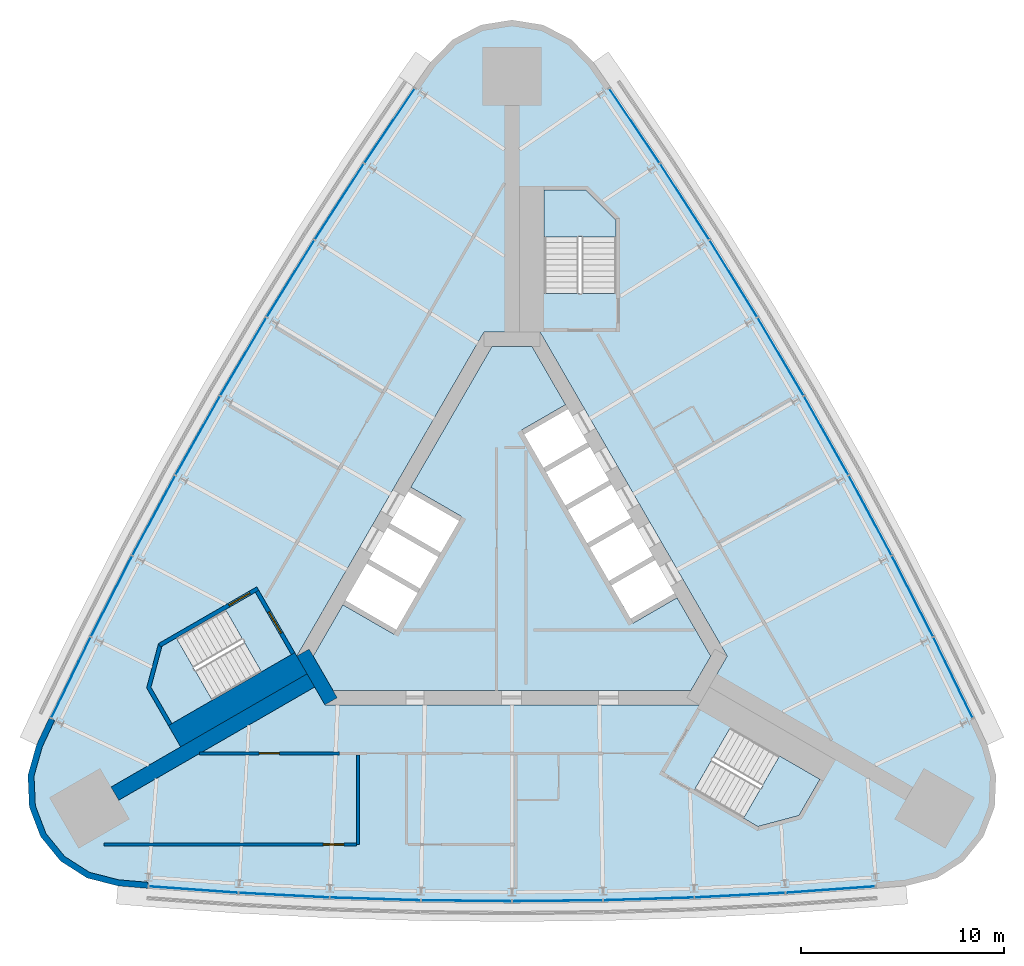
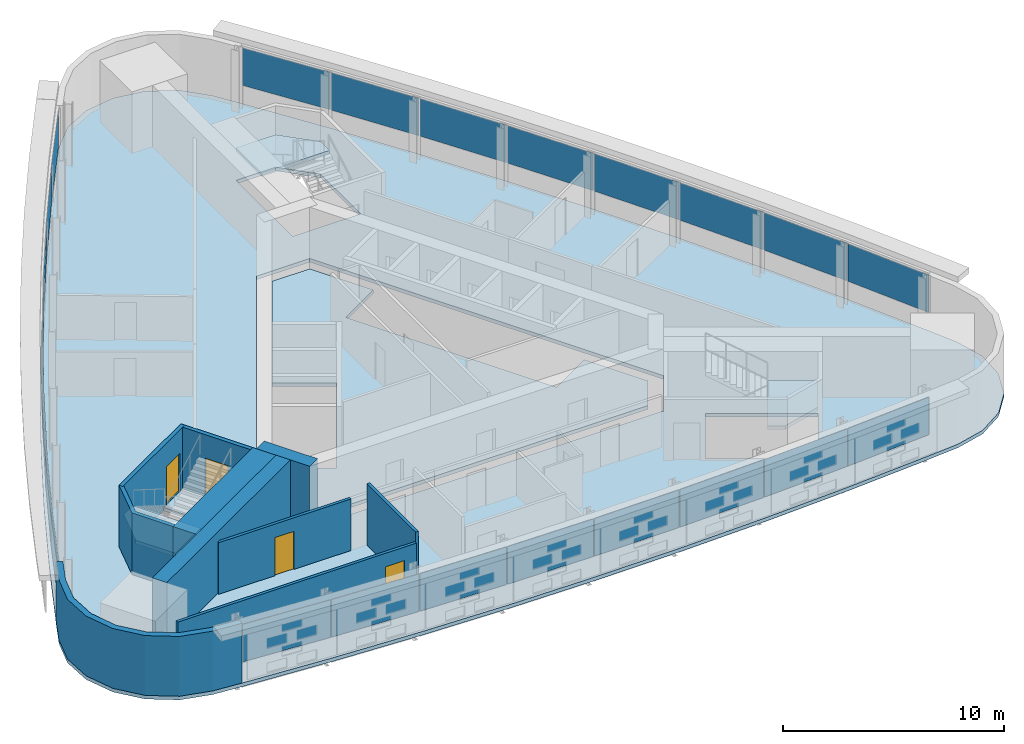
# One storey, part 8 of 13: 24 plates, 10 walls, 5 slabs, 4 doors, 4 openings, 6 elements without a shape of their own.
"""IFC4 building model written with IfcOpenShell, lengths in metres."""

from ifc_helpers import new_model, si_unit, direction, frame, frame_2d, origin, origin_2d, place, context, subcontext, project, spatial, polyline, rectangle, outline, extrude, material, layer, layer_set, type_object, element, fill, aggregate, save


model = new_model("IFC4")

# Units and contexts
model_context = context("Model", 3, precision=1e-05, world=origin(), true_north=direction((0.0, 1.0)))
body_context = subcontext(model_context, "Body", "Model", "MODEL_VIEW")
ifc_project = project(units=[si_unit("LENGTHUNIT", "METRE"), si_unit("AREAUNIT", "SQUARE_METRE"), si_unit("VOLUMEUNIT", "CUBIC_METRE"), si_unit("PLANEANGLEUNIT", "RADIAN"), si_unit("MASSUNIT", "GRAM", prefix="KILO")], contexts=[model_context])

# Site, building, storey
site_placement = place(None, origin())
site = spatial("IfcSite", under=ifc_project, at=site_placement, CompositionType="ELEMENT")
building_placement = place(site_placement, origin())
building = spatial("IfcBuilding", under=site, at=building_placement, Name="Noor Cloister Tower", CompositionType="ELEMENT")
storey_placement = place(building_placement, frame((0.0, 0.0, 147.300048828125)))
storey = spatial("IfcBuildingStorey", under=building, at=storey_placement, Name="L37", CompositionType="ELEMENT", Elevation=147.300048828125)

# Slabs
ifc_material_1 = material(Name="Concrete C40/50", Category="concrete")
ifc_layer_1 = layer(ifc_material_1, 0.199951171875)
ifc_layer_set_1 = layer_set([ifc_layer_1], Name="Core floor slab 200 C40/50")
slab_type_1 = type_object("IfcSlabType", Name="Core floor slab 200 C40/50", PredefinedType="FLOOR", material=ifc_layer_set_1)
slab_1_placement = place(storey_placement, frame((0.0, 0.0, -0.199951171875)))
element("IfcSlab", 1, at=slab_1_placement, inside=storey, type_object=slab_type_1, Name="Core floor L37", PredefinedType="FLOOR", context=body_context, shape_type="SweptSolid", body=[
    extrude(outline(polyline([(2.643798828125, 7.877197265625), (0.9814453125, 10.75634765625), (-0.9814453125, 10.75634765625), (-4.993896484375, 3.806884765625), (-2.482421875, 2.35693359375), (-5.832275390625, -3.4453125), (-8.34375, -1.995361328125), (-9.80615234375, -4.5283203125), (-8.82470703125, -6.228271484375), (8.82470703125, -6.228271484375), (9.80615234375, -4.5283203125), (8.143798828125, -1.64892578125), (5.978759765625, -2.89892578125), (0.478759765625, 6.627197265625), (2.643798828125, 7.877197265625)])), origin(), (0.0, 0.0, 1.0), 0.199951171875),
])
ifc_material_2 = material(Name="Concrete C40/50", Category="concrete")
ifc_layer_2 = layer(ifc_material_2, 0.199951171875)
ifc_layer_set_2 = layer_set([ifc_layer_2], Name="Floor slab 200 C40/50")
slab_type_2 = type_object("IfcSlabType", Name="Floor slab 200 C40/50", PredefinedType="FLOOR", material=ifc_layer_set_2)
slab_2_placement = place(storey_placement, frame((0.0, 0.0, -0.199951171875)))
element("IfcSlab", 2, at=slab_2_placement, inside=storey, type_object=slab_type_2, Name="Floor slab L37", PredefinedType="FLOOR", context=body_context, shape_type="SweptSolid", body=[
    extrude(outline(polyline([(4.013916015625, 24.76708984375), (2.92529296875, 25.88525390625), (1.54052734375, 26.604736328125), (0.0, 26.85302734375), (-1.54052734375, 26.604736328125), (-2.92529296875, 25.88525390625), (-4.013916015625, 24.76708984375), (-4.853271484375, 23.5634765625), (-7.376953125, 19.837646484375), (-9.823486328125, 16.06103515625), (-12.1923828125, 12.235107421875), (-14.482177734375, 8.361328125), (-16.69189453125, 4.44140625), (-18.821044921875, 0.47705078125), (-20.868408203125, -3.5302734375), (-22.833251953125, -7.57861328125), (-23.455810546875, -8.907470703125), (-23.8798828125, -10.4091796875), (-23.810791015625, -11.96826171875), (-23.25537109375, -13.426513671875), (-22.27001953125, -14.636474609375), (-20.95458984375, -15.47607421875), (-19.44189453125, -15.859619140625), (-17.979736328125, -15.98486328125), (-13.491455078125, -16.307373046875), (-8.99755859375, -16.5380859375), (-4.499755859375, -16.67626953125), (0.0, -16.722412109375), (4.499755859375, -16.67626953125), (8.99755859375, -16.5380859375), (13.491455078125, -16.307373046875), (17.979736328125, -15.98486328125), (19.44189453125, -15.859619140625), (20.95458984375, -15.47607421875), (22.27001953125, -14.636474609375), (23.25537109375, -13.426513671875), (23.810791015625, -11.96826171875), (23.8798828125, -10.4091796875), (23.455810546875, -8.907470703125), (22.833251953125, -7.57861328125), (20.868408203125, -3.5302734375), (18.821044921875, 0.47705078125), (16.69189453125, 4.44140625), (14.482177734375, 8.361328125), (12.1923828125, 12.235107421875), (9.823486328125, 16.06103515625), (7.376953125, 19.837646484375), (4.853271484375, 23.5634765625), (4.013916015625, 24.76708984375)]), holes=[polyline([(8.999755859375, -11.126220703125), (12.131591796875, -12.934326171875), (14.1572265625, -12.3916015625), (15.19091796875, -10.601318359375), (10.774658203125, -8.0517578125), (8.999755859375, -11.126220703125)]), polyline([(-17.81005859375, -6.064697265625), (-16.776611328125, -7.85498046875), (-12.3603515625, -5.305419921875), (-14.13525390625, -2.23095703125), (-16.662841796875, -3.690185546875), (-17.267333984375, -4.039306640625), (-17.81005859375, -6.064697265625)]), polyline([(-10.6142578125, -4.5283203125), (-9.228759765625, -6.92822265625), (9.228759765625, -6.92822265625), (10.6142578125, -4.5283203125), (1.3857421875, 11.456298828125), (-1.3857421875, 11.456298828125), (-10.6142578125, -4.5283203125)]), polyline([(3.65283203125, 18.456298828125), (1.585693359375, 18.456298828125), (1.585693359375, 13.35693359375), (5.135498046875, 13.35693359375), (5.135498046875, 16.9736328125), (3.65283203125, 18.456298828125)])]), origin(), (0.0, 0.0, 1.0), 0.199951171875),
])

# Curtain wall, plates
ifc_material_3 = material(Name="Aluminium 6063-T6 anodised", Category="aluminium")
curtain_wall_type = type_object("IfcCurtainWallType", Name="Ribbon curtain wall, upper tower CW5", PredefinedType="NOTDEFINED", material=ifc_material_3)
curtain_wall_1_placement = place(storey_placement, origin())
curtain_wall_1 = element("IfcCurtainWall", 3, at=curtain_wall_1_placement, inside=storey, type_object=curtain_wall_type, Name="CW5 L37 NW run 1", PredefinedType="NOTDEFINED")
ifc_material_4 = material(Name="Clear laminated glass 2 x 8 mm", Category="glass")
ifc_layer_3 = layer(ifc_material_4, 0.028076171875)
ifc_layer_set_3 = layer_set([ifc_layer_3], Name="Glass panel CW5")
plate_type = type_object("IfcPlateType", Name="Glass panel CW5", PredefinedType="CURTAIN_PANEL", material=ifc_layer_set_3)
plate_1_placement = place(storey_placement, frame((-6.041748046875, 21.63037109375, 1.08984375), z_axis=(0.0, 0.0, 1.0), x_axis=(-0.560807382092, -0.827946302722, 0.0)))
plate_1 = element("IfcPlate", 4, at=plate_1_placement, type_object=plate_type, Name="CW5 glass panel 1", PredefinedType="CURTAIN_PANEL", context=body_context, shape_type="SweptSolid", body=[
    extrude(rectangle(XDim=4.413818359375, YDim=0.028076171875, at=origin_2d()), origin(), (0.0, 0.0, 1.0), 2.070068359375),
])
plate_2_placement = place(storey_placement, frame((-8.516357421875, 17.89501953125, 1.08984375), z_axis=(0.0, 0.0, 1.0), x_axis=(-0.543714986817, -0.839269928635, 0.0)))
plate_2 = element("IfcPlate", 5, at=plate_2_placement, type_object=plate_type, Name="CW5 glass panel 2", PredefinedType="CURTAIN_PANEL", context=body_context, shape_type="SweptSolid", body=[
    extrude(rectangle(XDim=4.44775390625, YDim=0.028076171875, at=origin_2d()), origin(), (0.0, 0.0, 1.0), 2.070068359375),
])
plate_3_placement = place(storey_placement, frame((-10.9228515625, 14.095458984375, 1.08984375), z_axis=(0.0, 0.0, 1.0), x_axis=(-0.526394042476, -0.850240737701, 0.0)))
plate_3 = element("IfcPlate", 6, at=plate_3_placement, type_object=plate_type, Name="CW5 glass panel 3", PredefinedType="CURTAIN_PANEL", context=body_context, shape_type="SweptSolid", body=[
    extrude(rectangle(XDim=4.44775390625, YDim=0.028076171875, at=origin_2d()), origin(), (0.0, 0.0, 1.0), 2.070068359375),
])
plate_4_placement = place(storey_placement, frame((-13.251220703125, 10.247314453125, 1.08984375), z_axis=(0.0, 0.0, 1.0), x_axis=(-0.508851800866, -0.860854136748, 0.0)))
plate_4 = element("IfcPlate", 7, at=plate_4_placement, type_object=plate_type, Name="CW5 glass panel 4", PredefinedType="CURTAIN_PANEL", context=body_context, shape_type="SweptSolid", body=[
    extrude(rectangle(XDim=4.44775390625, YDim=0.028076171875, at=origin_2d()), origin(), (0.0, 0.0, 1.0), 2.070068359375),
])
plate_5_placement = place(storey_placement, frame((-15.5, 6.352294921875, 1.08984375), z_axis=(0.0, 0.0, 1.0), x_axis=(-0.491095650944, -0.871105654685, 0.0)))
plate_5 = element("IfcPlate", 8, at=plate_5_placement, type_object=plate_type, Name="CW5 glass panel 5", PredefinedType="CURTAIN_PANEL", context=body_context, shape_type="SweptSolid", body=[
    extrude(rectangle(XDim=4.44775390625, YDim=0.028076171875, at=origin_2d()), origin(), (0.0, 0.0, 1.0), 2.070068359375),
])
plate_6_placement = place(storey_placement, frame((-17.66845703125, 2.411865234375, 1.08984375), z_axis=(0.0, 0.0, 1.0), x_axis=(-0.473133056943, -0.880990982035, 0.0)))
plate_6 = element("IfcPlate", 9, at=plate_6_placement, type_object=plate_type, Name="CW5 glass panel 6", PredefinedType="CURTAIN_PANEL", context=body_context, shape_type="SweptSolid", body=[
    extrude(rectangle(XDim=4.44775390625, YDim=0.028076171875, at=origin_2d()), origin(), (0.0, 0.0, 1.0), 2.070068359375),
])
plate_7_placement = place(storey_placement, frame((-19.755615234375, -1.572021484375, 1.08984375), z_axis=(0.0, 0.0, 1.0), x_axis=(-0.454971585422, -0.890505955319, 0.0)))
plate_7 = element("IfcPlate", 10, at=plate_7_placement, type_object=plate_type, Name="CW5 glass panel 7", PredefinedType="CURTAIN_PANEL", context=body_context, shape_type="SweptSolid", body=[
    extrude(rectangle(XDim=4.44775390625, YDim=0.028076171875, at=origin_2d()), origin(), (0.0, 0.0, 1.0), 2.070068359375),
])
plate_8_placement = place(storey_placement, frame((-21.75341796875, -5.582763671875, 1.08984375), z_axis=(0.0, 0.0, 1.0), x_axis=(-0.436618840081, -0.899646590882, 0.0)))
plate_8 = element("IfcPlate", 11, at=plate_8_placement, type_object=plate_type, Name="CW5 glass panel 8", PredefinedType="CURTAIN_PANEL", context=body_context, shape_type="SweptSolid", body=[
    extrude(rectangle(XDim=4.413818359375, YDim=0.028076171875, at=origin_2d()), origin(), (0.0, 0.0, 1.0), 2.070068359375),
])
aggregate(curtain_wall_1, [plate_1, plate_2, plate_3, plate_4, plate_5, plate_6, plate_7, plate_8])

curtain_wall_2_placement = place(storey_placement, origin())
curtain_wall_2 = element("IfcCurtainWall", 12, at=curtain_wall_2_placement, inside=storey, type_object=curtain_wall_type, Name="CW5 L37 S run 2", PredefinedType="NOTDEFINED")
plate_9_placement = place(storey_placement, frame((-15.71142578125, -16.047607421875, 1.08984375), z_axis=(0.0, 0.0, 1.0), x_axis=(0.997426222173, -0.07170028816, 0.0)))
plate_9 = element("IfcPlate", 13, at=plate_9_placement, type_object=plate_type, Name="CW5 glass panel 1", PredefinedType="CURTAIN_PANEL", context=body_context, shape_type="SweptSolid", body=[
    extrude(rectangle(XDim=4.413818359375, YDim=0.028076171875, at=origin_2d()), origin(), (0.0, 0.0, 1.0), 2.070068359375),
])
plate_10_placement = place(storey_placement, frame((-11.2392578125, -16.32275390625, 1.08984375), z_axis=(0.0, 0.0, 1.0), x_axis=(0.998686572239, -0.051236026684, 0.0)))
plate_10 = element("IfcPlate", 14, at=plate_10_placement, type_object=plate_type, Name="CW5 glass panel 2", PredefinedType="CURTAIN_PANEL", context=body_context, shape_type="SweptSolid", body=[
    extrude(rectangle(XDim=4.44775390625, YDim=0.028076171875, at=origin_2d()), origin(), (0.0, 0.0, 1.0), 2.070068359375),
])
plate_11_placement = place(storey_placement, frame((-6.74560546875, -16.50732421875, 1.08984375), z_axis=(0.0, 0.0, 1.0), x_axis=(0.999527099419, -0.030750244335, 0.0)))
plate_11 = element("IfcPlate", 15, at=plate_11_placement, type_object=plate_type, Name="CW5 glass panel 3", PredefinedType="CURTAIN_PANEL", context=body_context, shape_type="SweptSolid", body=[
    extrude(rectangle(XDim=4.44775390625, YDim=0.028076171875, at=origin_2d()), origin(), (0.0, 0.0, 1.0), 2.070068359375),
])
plate_12_placement = place(storey_placement, frame((-2.248779296875, -16.599365234375, 1.08984375), z_axis=(0.0, 0.0, 1.0), x_axis=(0.999947451809, -0.010251517937, 0.0)))
plate_12 = element("IfcPlate", 16, at=plate_12_placement, type_object=plate_type, Name="CW5 glass panel 4", PredefinedType="CURTAIN_PANEL", context=body_context, shape_type="SweptSolid", body=[
    extrude(rectangle(XDim=4.44775390625, YDim=0.028076171875, at=origin_2d()), origin(), (0.0, 0.0, 1.0), 2.070068359375),
])
plate_13_placement = place(storey_placement, frame((2.248779296875, -16.599365234375, 1.08984375), z_axis=(0.0, 0.0, 1.0), x_axis=(0.999947451809, 0.010251517937, 0.0)))
plate_13 = element("IfcPlate", 17, at=plate_13_placement, type_object=plate_type, Name="CW5 glass panel 5", PredefinedType="CURTAIN_PANEL", context=body_context, shape_type="SweptSolid", body=[
    extrude(rectangle(XDim=4.44775390625, YDim=0.028076171875, at=origin_2d()), origin(), (0.0, 0.0, 1.0), 2.070068359375),
])
plate_14_placement = place(storey_placement, frame((6.74560546875, -16.50732421875, 1.08984375), z_axis=(0.0, 0.0, 1.0), x_axis=(0.999527099419, 0.030750244335, 0.0)))
plate_14 = element("IfcPlate", 18, at=plate_14_placement, type_object=plate_type, Name="CW5 glass panel 6", PredefinedType="CURTAIN_PANEL", context=body_context, shape_type="SweptSolid", body=[
    extrude(rectangle(XDim=4.44775390625, YDim=0.028076171875, at=origin_2d()), origin(), (0.0, 0.0, 1.0), 2.070068359375),
])
plate_15_placement = place(storey_placement, frame((11.2392578125, -16.32275390625, 1.08984375), z_axis=(0.0, 0.0, 1.0), x_axis=(0.998686572239, 0.051236026684, 0.0)))
plate_15 = element("IfcPlate", 19, at=plate_15_placement, type_object=plate_type, Name="CW5 glass panel 7", PredefinedType="CURTAIN_PANEL", context=body_context, shape_type="SweptSolid", body=[
    extrude(rectangle(XDim=4.44775390625, YDim=0.028076171875, at=origin_2d()), origin(), (0.0, 0.0, 1.0), 2.070068359375),
])
plate_16_placement = place(storey_placement, frame((15.71142578125, -16.047607421875, 1.08984375), z_axis=(0.0, 0.0, 1.0), x_axis=(0.997426222173, 0.07170028816, 0.0)))
plate_16 = element("IfcPlate", 20, at=plate_16_placement, type_object=plate_type, Name="CW5 glass panel 8", PredefinedType="CURTAIN_PANEL", context=body_context, shape_type="SweptSolid", body=[
    extrude(rectangle(XDim=4.413818359375, YDim=0.028076171875, at=origin_2d()), origin(), (0.0, 0.0, 1.0), 2.070068359375),
])
aggregate(curtain_wall_2, [plate_9, plate_10, plate_11, plate_12, plate_13, plate_14, plate_15, plate_16])

curtain_wall_3_placement = place(storey_placement, origin())
curtain_wall_3 = element("IfcCurtainWall", 21, at=curtain_wall_3_placement, inside=storey, type_object=curtain_wall_type, Name="CW5 L37 NE run 3", PredefinedType="NOTDEFINED")
plate_17_placement = place(storey_placement, frame((21.75341796875, -5.582763671875, 1.08984375), z_axis=(0.0, 0.0, 1.0), x_axis=(-0.436618840081, 0.899646590882, 0.0)))
plate_17 = element("IfcPlate", 22, at=plate_17_placement, type_object=plate_type, Name="CW5 glass panel 1", PredefinedType="CURTAIN_PANEL", context=body_context, shape_type="SweptSolid", body=[
    extrude(rectangle(XDim=4.413818359375, YDim=0.028076171875, at=origin_2d()), origin(), (0.0, 0.0, 1.0), 2.070068359375),
])
plate_18_placement = place(storey_placement, frame((19.755615234375, -1.572021484375, 1.08984375), z_axis=(0.0, 0.0, 1.0), x_axis=(-0.454971585422, 0.890505955319, 0.0)))
plate_18 = element("IfcPlate", 23, at=plate_18_placement, type_object=plate_type, Name="CW5 glass panel 2", PredefinedType="CURTAIN_PANEL", context=body_context, shape_type="SweptSolid", body=[
    extrude(rectangle(XDim=4.44775390625, YDim=0.028076171875, at=origin_2d()), origin(), (0.0, 0.0, 1.0), 2.070068359375),
])
plate_19_placement = place(storey_placement, frame((17.66845703125, 2.411865234375, 1.08984375), z_axis=(0.0, 0.0, 1.0), x_axis=(-0.473133056943, 0.880990982035, 0.0)))
plate_19 = element("IfcPlate", 24, at=plate_19_placement, type_object=plate_type, Name="CW5 glass panel 3", PredefinedType="CURTAIN_PANEL", context=body_context, shape_type="SweptSolid", body=[
    extrude(rectangle(XDim=4.44775390625, YDim=0.028076171875, at=origin_2d()), origin(), (0.0, 0.0, 1.0), 2.070068359375),
])
plate_20_placement = place(storey_placement, frame((15.5, 6.352294921875, 1.08984375), z_axis=(0.0, 0.0, 1.0), x_axis=(-0.491095650944, 0.871105654685, 0.0)))
plate_20 = element("IfcPlate", 25, at=plate_20_placement, type_object=plate_type, Name="CW5 glass panel 4", PredefinedType="CURTAIN_PANEL", context=body_context, shape_type="SweptSolid", body=[
    extrude(rectangle(XDim=4.44775390625, YDim=0.028076171875, at=origin_2d()), origin(), (0.0, 0.0, 1.0), 2.070068359375),
])
plate_21_placement = place(storey_placement, frame((13.251220703125, 10.247314453125, 1.08984375), z_axis=(0.0, 0.0, 1.0), x_axis=(-0.508851800866, 0.860854136748, 0.0)))
plate_21 = element("IfcPlate", 26, at=plate_21_placement, type_object=plate_type, Name="CW5 glass panel 5", PredefinedType="CURTAIN_PANEL", context=body_context, shape_type="SweptSolid", body=[
    extrude(rectangle(XDim=4.44775390625, YDim=0.028076171875, at=origin_2d()), origin(), (0.0, 0.0, 1.0), 2.070068359375),
])
plate_22_placement = place(storey_placement, frame((10.9228515625, 14.095458984375, 1.08984375), z_axis=(0.0, 0.0, 1.0), x_axis=(-0.526394042476, 0.850240737701, 0.0)))
plate_22 = element("IfcPlate", 27, at=plate_22_placement, type_object=plate_type, Name="CW5 glass panel 6", PredefinedType="CURTAIN_PANEL", context=body_context, shape_type="SweptSolid", body=[
    extrude(rectangle(XDim=4.44775390625, YDim=0.028076171875, at=origin_2d()), origin(), (0.0, 0.0, 1.0), 2.070068359375),
])
plate_23_placement = place(storey_placement, frame((8.516357421875, 17.89501953125, 1.08984375), z_axis=(0.0, 0.0, 1.0), x_axis=(-0.543714986817, 0.839269928635, 0.0)))
plate_23 = element("IfcPlate", 28, at=plate_23_placement, type_object=plate_type, Name="CW5 glass panel 7", PredefinedType="CURTAIN_PANEL", context=body_context, shape_type="SweptSolid", body=[
    extrude(rectangle(XDim=4.44775390625, YDim=0.028076171875, at=origin_2d()), origin(), (0.0, 0.0, 1.0), 2.070068359375),
])
plate_24_placement = place(storey_placement, frame((6.041748046875, 21.63037109375, 1.08984375), z_axis=(0.0, 0.0, 1.0), x_axis=(-0.560807382092, 0.827946302722, 0.0)))
plate_24 = element("IfcPlate", 29, at=plate_24_placement, type_object=plate_type, Name="CW5 glass panel 8", PredefinedType="CURTAIN_PANEL", context=body_context, shape_type="SweptSolid", body=[
    extrude(rectangle(XDim=4.413818359375, YDim=0.028076171875, at=origin_2d()), origin(), (0.0, 0.0, 1.0), 2.070068359375),
])
aggregate(curtain_wall_3, [plate_17, plate_18, plate_19, plate_20, plate_21, plate_22, plate_23, plate_24])

# Stair, slab
ifc_material_5 = material(Name="Concrete C40/50", Category="concrete")
stair_type = type_object("IfcStairType", Name="Exit stair 22 risers", PredefinedType="HALF_TURN_STAIR", material=ifc_material_5)
stair_1_placement = place(storey_placement, origin())
stair_1 = element("IfcStair", 30, at=stair_1_placement, inside=storey, type_object=stair_type, Name="Exit stair ST1 L37", PredefinedType="HALF_TURN_STAIR")
ifc_material_6 = material(Name="Concrete C40/50", Category="concrete")
ifc_layer_4 = layer(ifc_material_6, 0.199951171875)
ifc_layer_set_4 = layer_set([ifc_layer_4], Name="Stair landing 200 C40/50")
slab_type_3 = type_object("IfcSlabType", Name="Stair landing 200 C40/50", PredefinedType="LANDING", material=ifc_layer_set_4)
slab_3_placement = place(storey_placement, frame((0.0, 0.0, 1.599853515625)))
slab_3 = element("IfcSlab", 31, at=slab_3_placement, type_object=slab_type_3, Name="ST1 landing 1", PredefinedType="LANDING", context=body_context, shape_type="SweptSolid", body=[
    extrude(outline(polyline([(5.135498046875, 16.15576171875), (5.135498046875, 16.9736328125), (3.65283203125, 18.456298828125), (1.585693359375, 18.456298828125), (1.585693359375, 16.15576171875), (5.135498046875, 16.15576171875)])), origin(), (0.0, 0.0, 1.0), 0.2001953125),
])
aggregate(stair_1, [slab_3])

stair_2_placement = place(storey_placement, origin())
stair_2 = element("IfcStair", 32, at=stair_2_placement, inside=storey, type_object=stair_type, Name="Exit stair ST2 L37", PredefinedType="HALF_TURN_STAIR")
slab_4_placement = place(storey_placement, frame((0.0, 0.0, 1.599853515625)))
slab_4 = element("IfcSlab", 33, at=slab_4_placement, type_object=slab_type_3, Name="ST2 landing 1", PredefinedType="LANDING", context=body_context, shape_type="SweptSolid", body=[
    extrude(outline(polyline([(-16.55908203125, -3.63037109375), (-17.267333984375, -4.039306640625), (-17.81005859375, -6.064697265625), (-16.776611328125, -7.85498046875), (-14.7841796875, -6.70458984375), (-16.55908203125, -3.63037109375)])), origin(), (0.0, 0.0, 1.0), 0.2001953125),
])
aggregate(stair_2, [slab_4])

stair_3_placement = place(storey_placement, origin())
stair_3 = element("IfcStair", 34, at=stair_3_placement, inside=storey, type_object=stair_type, Name="Exit stair ST3 L37", PredefinedType="HALF_TURN_STAIR")
slab_5_placement = place(storey_placement, frame((0.0, 0.0, 1.599853515625)))
slab_5 = element("IfcSlab", 35, at=slab_5_placement, type_object=slab_type_3, Name="ST3 landing 1", PredefinedType="LANDING", context=body_context, shape_type="SweptSolid", body=[
    extrude(outline(polyline([(11.423583984375, -12.525390625), (12.131591796875, -12.934326171875), (14.1572265625, -12.3916015625), (15.19091796875, -10.601318359375), (13.198486328125, -9.451171875), (11.423583984375, -12.525390625)])), origin(), (0.0, 0.0, 1.0), 0.2001953125),
])
aggregate(stair_3, [slab_5])

# Walls
ifc_material_7 = material(Name="Concrete C70/85", Category="concrete")
ifc_layer_5 = layer(ifc_material_7, 0.75)
ifc_layer_set_5 = layer_set([ifc_layer_5], Name="Buttress wall 750 C70/85")
wall_type_1 = type_object("IfcWallType", Name="Buttress wall 750 C70/85", PredefinedType="SHEAR", material=ifc_layer_set_5)
wall_1_placement = place(storey_placement, frame((-9.921630859375, -5.728271484375, -0.199951171875), z_axis=(0.0, 0.0, 1.0), x_axis=(-0.866023928423, -0.500002555393, 0.0)))
element("IfcWall", 36, at=wall_1_placement, inside=storey, type_object=wall_type_1, Name="Buttress wall SW L37", PredefinedType="SHEAR", context=body_context, shape_type="SweptSolid", body=[
    extrude(rectangle(XDim=11.16650390625, YDim=0.75, at=frame_2d((5.583251953125, 0.0))), origin(), (0.0, 0.0, 1.0), 3.599853515625),
])
ifc_material_8 = material(Name="Concrete C70/85", Category="concrete")
ifc_layer_6 = layer(ifc_material_8, 0.699951171875)
ifc_layer_set_6 = layer_set([ifc_layer_6], Name="Core wall 700 C70/85")
wall_type_2 = type_object("IfcWallType", Name="Core wall 700 C70/85", PredefinedType="SHEAR", material=ifc_layer_set_6)
wall_2_placement = place(storey_placement, frame((-10.311279296875, -4.353271484375, -0.199951171875), z_axis=(0.0, 0.0, 1.0), x_axis=(0.500042739161, -0.866000726912, 0.0)))
element("IfcWall", 37, at=wall_2_placement, inside=storey, type_object=wall_type_2, Name="Core wall L37 6", PredefinedType="SHEAR", context=body_context, shape_type="SweptSolid", body=[
    extrude(rectangle(XDim=2.771240234375, YDim=0.699951171875, at=frame_2d((1.3857421875, 0.0))), origin(), (0.0, 0.0, 1.0), 3.599853515625),
])

# Wall, opening, door
ifc_material_9 = material(Name="Gypsum board partition on steel studs, 150 mm", Category="steel")
ifc_layer_7 = layer(ifc_material_9, 0.14990234375)
ifc_layer_set_7 = layer_set([ifc_layer_7], Name="Flat wall 150")
wall_type_3 = type_object("IfcWallType", Name="Flat wall 150", PredefinedType="PARTITIONING", material=ifc_layer_set_7)
wall_3_placement = place(storey_placement, frame((-15.406982421875, -9.328125, 0.0), z_axis=(0.0, 0.0, 1.0), x_axis=(1.0, 0.0, 0.0)))
wall_3 = element("IfcWall", 38, at=wall_3_placement, inside=storey, type_object=wall_type_3, Name="Wall L37-W08", PredefinedType="PARTITIONING", context=body_context, shape_type="SweptSolid", body=[
    extrude(rectangle(XDim=6.905517578125, YDim=0.14990234375, at=frame_2d((3.45263671875, 0.0))), origin(), (0.0, 0.0, 1.0), 2.846923828125),
])
opening_1_placement = place(wall_3_placement, frame((2.927734375, 0.0, 0.0)))
opening_1 = element("IfcOpeningElement", 39, at=opening_1_placement, cuts=wall_3, Name="Opening L37-007", PredefinedType="OPENING", context=body_context, shape_type="SweptSolid", body=[
    extrude(rectangle(XDim=1.0, YDim=2.10009765625, at=frame_2d((0.5, 1.050048828125))), frame((0.0, 0.0849609375, 0.0), z_axis=(0.0, -1.0, 0.0), x_axis=(1.0, 0.0, 0.0)), (0.0, 0.0, 1.0), 0.169921875),
])
ifc_material_10 = material(Name="Timber door leaf with steel frame", Category="steel")
door_type_1 = type_object("IfcDoorType", Name="Interior door 1000 FD60", OperationType="NOTDEFINED", PredefinedType="DOOR", material=ifc_material_10)
door_1_placement = place(opening_1_placement, origin())
door_1 = element("IfcDoor", 40, at=door_1_placement, inside=storey, type_object=door_type_1, Name="Door L37-007", OperationType="SINGLE_SWING_LEFT", OverallHeight=2.10009765625, OverallWidth=1.0, PredefinedType="DOOR", context=body_context, shape_type="SweptSolid", body=[
    extrude(rectangle(XDim=1.0, YDim=2.10009765625, at=frame_2d((0.5, 1.050048828125))), frame((0.0, 0.02490234375, 0.0), z_axis=(0.0, -1.0, 0.0), x_axis=(1.0, 0.0, 0.0)), (0.0, 0.0, 1.0), 0.050048828125),
])
fill(opening_1, door_1)

# Wall
wall_4_placement = place(storey_placement, frame((-7.599853515625, -9.4033203125, 0.0), z_axis=(0.0, 0.0, 1.0), x_axis=(0.0, -1.0, 0.0)))
element("IfcWall", 41, at=wall_4_placement, inside=storey, type_object=wall_type_3, Name="Wall L37-W12", PredefinedType="PARTITIONING", context=body_context, shape_type="SweptSolid", body=[
    extrude(rectangle(XDim=4.41650390625, YDim=0.14990234375, at=frame_2d((2.208251953125, 0.0))), origin(), (0.0, 0.0, 1.0), 3.39990234375),
])

# Wall, opening, door
wall_5_placement = place(storey_placement, frame((-20.136474609375, -13.81982421875, 0.0), z_axis=(0.0, 0.0, 1.0), x_axis=(1.0, 0.0, 0.0)))
wall_5 = element("IfcWall", 42, at=wall_5_placement, inside=storey, type_object=wall_type_3, Name="Wall L37-W14", PredefinedType="PARTITIONING", context=body_context, shape_type="SweptSolid", body=[
    extrude(rectangle(XDim=12.461669921875, YDim=0.14990234375, at=frame_2d((6.23095703125, 0.0))), origin(), (0.0, 0.0, 1.0), 2.846923828125),
])
opening_2_placement = place(wall_5_placement, frame((10.836669921875, 0.0, 0.0)))
opening_2 = element("IfcOpeningElement", 43, at=opening_2_placement, cuts=wall_5, Name="Opening L37-006", PredefinedType="OPENING", context=body_context, shape_type="SweptSolid", body=[
    extrude(rectangle(XDim=1.0, YDim=2.10009765625, at=frame_2d((0.5, 1.050048828125))), frame((0.0, 0.0849609375, 0.0), z_axis=(0.0, -1.0, 0.0), x_axis=(1.0, 0.0, 0.0)), (0.0, 0.0, 1.0), 0.169921875),
])
door_2_placement = place(opening_2_placement, origin())
door_2 = element("IfcDoor", 44, at=door_2_placement, inside=storey, type_object=door_type_1, Name="Door L37-006", OperationType="SINGLE_SWING_RIGHT", OverallHeight=2.10009765625, OverallWidth=1.0, PredefinedType="DOOR", context=body_context, shape_type="SweptSolid", body=[
    extrude(rectangle(XDim=1.0, YDim=2.10009765625, at=frame_2d((0.5, 1.050048828125))), frame((0.0, 0.02490234375, 0.0), z_axis=(0.0, -1.0, 0.0), x_axis=(1.0, 0.0, 0.0)), (0.0, 0.0, 1.0), 0.050048828125),
])
fill(opening_2, door_2)

# Walls
ifc_material_11 = material(Name="Limestone", Category="masonry")
ifc_layer_8 = layer(ifc_material_11, 0.300048828125)
ifc_layer_set_8 = layer_set([ifc_layer_8], Name="Limestone cladding 300")
wall_type_4 = type_object("IfcWallType", Name="Limestone cladding 300", PredefinedType="NOTDEFINED", material=ifc_layer_set_8)
wall_6_placement = place(storey_placement, origin())
element("IfcWall", 45, at=wall_6_placement, inside=storey, type_object=wall_type_4, Name="Limestone pier cladding L37 1.1", PredefinedType="NOTDEFINED", context=body_context, shape_type="SweptSolid", body=[
    extrude(outline(polyline([(-22.833251953125, -7.57861328125), (-23.455810546875, -8.907470703125), (-23.8798828125, -10.4091796875), (-23.810791015625, -11.96826171875), (-23.25537109375, -13.426513671875), (-22.27001953125, -14.636474609375), (-20.95458984375, -15.47607421875), (-19.44189453125, -15.859619140625), (-17.979736328125, -15.98486328125), (-17.954345703125, -15.685791015625), (-19.39208984375, -15.56298828125), (-20.833984375, -15.197021484375), (-22.06787109375, -14.40966796875), (-22.9921875, -13.274658203125), (-23.51318359375, -11.906494140625), (-23.578125, -10.444091796875), (-23.173828125, -9.012451171875), (-22.5615234375, -7.705810546875), (-22.833251953125, -7.57861328125)])), origin(), (0.0, 0.0, 1.0), 3.300048828125),
])
ifc_material_12 = material(Name="Concrete C70/85", Category="concrete")
ifc_layer_9 = layer(ifc_material_12, 1.2109375)
ifc_layer_set_9 = layer_set([ifc_layer_9], Name="Stair enclosure wall 1211 C70/85")
wall_type_5 = type_object("IfcWallType", Name="Stair enclosure wall 1211 C70/85", PredefinedType="SHEAR", material=ifc_layer_set_9)
wall_7_placement = place(storey_placement, frame((-10.41162109375, -4.879150390625, -0.199951171875), z_axis=(0.0, 0.0, 1.0), x_axis=(-0.866026919366, -0.499997374926, 0.0)))
element("IfcWall", 46, at=wall_7_placement, inside=storey, type_object=wall_type_5, Name="Stair enclosure wall ST2 L37 riser side", PredefinedType="SHEAR", context=body_context, shape_type="SweptSolid", body=[
    extrude(rectangle(XDim=7.2001953125, YDim=1.210693359375, at=frame_2d((3.60009765625, 0.0))), origin(), (0.0, 0.0, 1.0), 3.599853515625),
])

# Wall, opening, door
ifc_material_13 = material(Name="Concrete C70/85", Category="concrete")
ifc_layer_10 = layer(ifc_material_13, 0.199951171875)
ifc_layer_set_10 = layer_set([ifc_layer_10], Name="Stair enclosure wall 200 C70/85")
wall_type_6 = type_object("IfcWallType", Name="Stair enclosure wall 200 C70/85", PredefinedType="SHEAR", material=ifc_layer_set_10)
wall_8_placement = place(storey_placement, frame((-12.575927734375, -1.33056640625, -0.199951171875), z_axis=(0.0, 0.0, 1.0), x_axis=(0.499970499736, -0.8660424351, 0.0)))
wall_8 = element("IfcWall", 47, at=wall_8_placement, inside=storey, type_object=wall_type_6, Name="Stair enclosure wall ST2 L37 near end", PredefinedType="SHEAR", context=body_context, shape_type="SweptSolid", body=[
    extrude(rectangle(XDim=3.550048828125, YDim=0.199951171875, at=frame_2d((1.77490234375, 0.0))), origin(), (0.0, 0.0, 1.0), 3.599853515625),
])
opening_3_placement = place(wall_8_placement, frame((1.175048828125, 0.0, 0.199951171875)))
opening_3 = element("IfcOpeningElement", 48, at=opening_3_placement, cuts=wall_8, Name="Opening L37-ST2L", PredefinedType="OPENING", context=body_context, shape_type="SweptSolid", body=[
    extrude(rectangle(XDim=1.199951171875, YDim=2.10009765625, at=frame_2d((0.60009765625, 1.050048828125))), frame((0.0, 0.10986328125, 0.0), z_axis=(0.0, -1.0, 0.0), x_axis=(1.0, 0.0, 0.0)), (0.0, 0.0, 1.0), 0.219970703125),
])
ifc_material_14 = material(Name="Steel", Category="steel")
door_type_2 = type_object("IfcDoorType", Name="Stair door 1200 x 2100 FD120", OperationType="SINGLE_SWING_LEFT", PredefinedType="DOOR", material=ifc_material_14)
door_3_placement = place(opening_3_placement, origin())
door_3 = element("IfcDoor", 49, at=door_3_placement, inside=storey, type_object=door_type_2, Name="Stair door ST2 L37", OperationType="SINGLE_SWING_RIGHT", OverallHeight=2.10009765625, OverallWidth=1.199951171875, PredefinedType="DOOR", context=body_context, shape_type="SweptSolid", body=[
    extrude(rectangle(XDim=1.199951171875, YDim=2.10009765625, at=frame_2d((0.60009765625, 1.050048828125))), frame((0.0, 0.02490234375, 0.0), z_axis=(0.0, -1.0, 0.0), x_axis=(1.0, 0.0, 0.0)), (0.0, 0.0, 1.0), 0.050048828125),
])
fill(opening_3, door_3)

wall_9_placement = place(storey_placement, frame((-12.539306640625, -1.194091796875, -0.199951171875), z_axis=(0.0, 0.0, 1.0), x_axis=(-0.866045472092, -0.499965239061, 0.0)))
wall_9 = element("IfcWall", 50, at=wall_9_placement, inside=storey, type_object=wall_type_6, Name="Stair enclosure wall ST2 L37 outer side", PredefinedType="SHEAR", context=body_context, shape_type="SweptSolid", body=[
    extrude(rectangle(XDim=5.60009765625, YDim=0.199951171875, at=frame_2d((2.800048828125, 0.0))), origin(), (0.0, 0.0, 1.0), 3.599853515625),
])
opening_4_placement = place(wall_9_placement, frame((0.449951171875, 0.0, 0.199951171875)))
opening_4 = element("IfcOpeningElement", 51, at=opening_4_placement, cuts=wall_9, Name="Opening L37-ST2C", PredefinedType="OPENING", context=body_context, shape_type="SweptSolid", body=[
    extrude(rectangle(XDim=1.199951171875, YDim=2.10009765625, at=frame_2d((0.60009765625, 1.050048828125))), frame((0.0, 0.10986328125, 0.0), z_axis=(0.0, -1.0, 0.0), x_axis=(1.0, 0.0, 0.0)), (0.0, 0.0, 1.0), 0.219970703125),
])
door_4_placement = place(opening_4_placement, origin())
door_4 = element("IfcDoor", 52, at=door_4_placement, inside=storey, type_object=door_type_2, Name="Stair door ST2 L37", OperationType="SINGLE_SWING_LEFT", OverallHeight=2.10009765625, OverallWidth=1.199951171875, PredefinedType="DOOR", context=body_context, shape_type="SweptSolid", body=[
    extrude(rectangle(XDim=1.199951171875, YDim=2.10009765625, at=frame_2d((0.60009765625, 1.050048828125))), frame((0.0, 0.02490234375, 0.0), z_axis=(0.0, -1.0, 0.0), x_axis=(1.0, 0.0, 0.0)), (0.0, 0.0, 1.0), 0.050048828125),
])
fill(opening_4, door_4)

# Wall
ifc_material_15 = material(Name="Concrete C70/85", Category="concrete")
wall_type_7 = type_object("IfcWallType", Name="Stair far end wall C70/85", PredefinedType="SHEAR", material=ifc_material_15)
wall_10_placement = place(storey_placement, frame((0.0, 0.0, -0.199951171875)))
element("IfcWall", 53, at=wall_10_placement, inside=storey, type_object=wall_type_7, Name="Stair enclosure wall ST2 L37 far end", PredefinedType="SHEAR", context=body_context, shape_type="SweptSolid", body=[
    extrude(outline(polyline([(-17.439208984375, -3.907470703125), (-18.024658203125, -6.093017578125), (-16.94970703125, -7.955078125), (-16.776611328125, -7.85498046875), (-17.81005859375, -6.064697265625), (-17.267333984375, -4.039306640625), (-17.339111328125, -4.08056640625), (-17.339111328125, -4.08056640625), (-17.339111328125, -4.08056640625), (-17.339111328125, -4.08056640625), (-17.339111328125, -4.08056640625), (-17.339111328125, -4.08056640625), (-17.339111328125, -4.08056640625), (-17.339111328125, -4.08056640625), (-17.339111328125, -4.08056640625), (-17.339111328125, -4.08056640625), (-17.339111328125, -4.08056640625), (-17.339111328125, -4.08056640625), (-17.339111328125, -4.08056640625), (-17.339111328125, -4.08056640625), (-17.339111328125, -4.08056640625), (-17.339111328125, -4.08056640625), (-17.339111328125, -4.08056640625), (-17.439208984375, -3.907470703125)])), origin(), (0.0, 0.0, 1.0), 3.599853515625),
])

save(model, "model.ifc")
